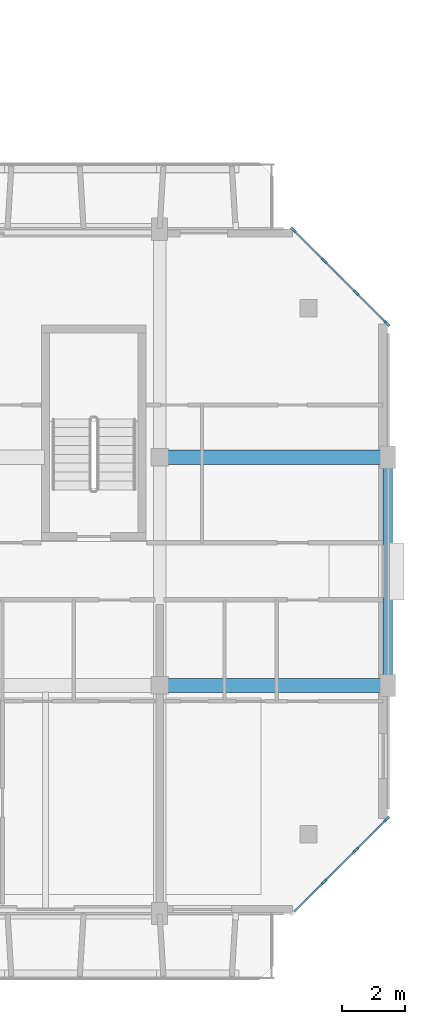
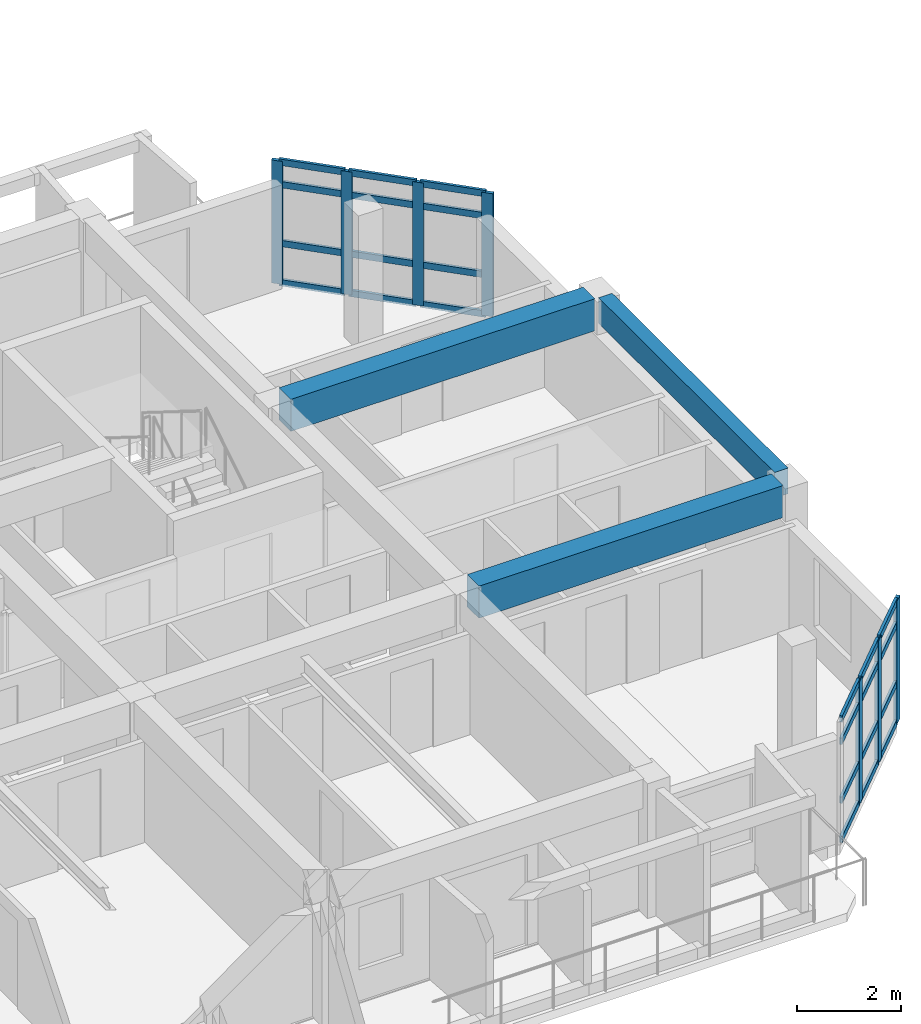
# One storey, part 7 of 43: 31 members, 3 beams, 2 elements without a shape of their own.
"""IFC4 building model written with IfcOpenShell, lengths in metres."""

import ifcopenshell
import ifcopenshell.guid

model = None  # the IFC model being written
_history = None  # IfcOwnerHistory: only IFC2X3 demands one
_inside = {}  # id of a spatial element -> (the spatial element, [elements in it])
_under = {}  # id of a project, library or spatial element -> (it, [spatial elements below it])
_declared = {}  # id of a project -> (the project, [libraries it declares])
_typed = {}  # id of a type object -> (the type object, [elements of that type])
_made_of = {}  # id of a material, layer set ... -> (it, [elements and type objects made of it])


def new_model(schema):
    """Start an empty IFC model of exactly this schema.

    Asked for "IFC4X3", IfcOpenShell would pick the latest addendum, in which some entities
    have other attributes; the version numbers below select the first issue.
    IFC2X3 requires an IfcOwnerHistory on every rooted entity: one is made here for all.
    """
    global model, _history
    if schema == "IFC4X3":
        model = ifcopenshell.file(schema_version=(4, 3, 0, 0))
    else:
        model = ifcopenshell.file(schema=schema)
    _inside.clear()
    _under.clear()
    _declared.clear()
    _typed.clear()
    _made_of.clear()
    _history = None
    if model.schema == "IFC2X3":
        org = make("IfcOrganization", Name="unknown")
        user = make(
            "IfcPersonAndOrganization",
            ThePerson=make("IfcPerson", FamilyName="unknown"),
            TheOrganization=org,
        )
        app = make(
            "IfcApplication",
            ApplicationDeveloper=org,
            Version="unknown",
            ApplicationFullName="unknown",
            ApplicationIdentifier="unknown",
        )
        _history = make(
            "IfcOwnerHistory",
            OwningUser=user,
            OwningApplication=app,
            ChangeAction="ADDED",
            CreationDate=0,
        )
    return model


def make(cls, **values):
    """One entity of the class cls with the attributes given. An attribute that is None is left unset."""
    return model.create_entity(
        cls, **{name: value for name, value in values.items() if value is not None}
    )


def rooted(cls, **values):
    """An entity with a GlobalId (a new one), such as an element, a storey or a relation."""
    return make(cls, GlobalId=ifcopenshell.guid.new(), OwnerHistory=_history, **values)


def si_unit(unit_type, name, prefix=None):
    """IfcSIUnit, for example si_unit("LENGTHUNIT", "METRE", prefix="MILLI")."""
    return make("IfcSIUnit", UnitType=unit_type, Prefix=prefix, Name=name)


def assignment(units):
    """IfcUnitAssignment: the units of a project."""
    return None if units is None else make("IfcUnitAssignment", Units=units)


def point(xyz):
    """IfcCartesianPoint."""
    return None if xyz is None else make("IfcCartesianPoint", Coordinates=xyz)


def direction(xyz):
    """IfcDirection."""
    return None if xyz is None else make("IfcDirection", DirectionRatios=xyz)


def frame(location, z_axis=None, x_axis=None):
    """IfcAxis2Placement3D, a coordinate frame: its origin and axes. An axis left out is left unset."""
    return make(
        "IfcAxis2Placement3D",
        Location=point(location),
        Axis=direction(z_axis),
        RefDirection=direction(x_axis),
    )


def frame_2d(location, x_axis=None):
    """IfcAxis2Placement2D, a coordinate frame in the plane: its origin and x axis."""
    return make(
        "IfcAxis2Placement2D", Location=point(location), RefDirection=direction(x_axis)
    )


def origin():
    """The frame at (0, 0, 0) with its axes left unset."""
    return frame((0.0, 0.0, 0.0))


def origin_2d():
    """The frame at (0, 0) in the plane with its x axis left unset."""
    return frame_2d((0.0, 0.0))


def place(relative_to, where):
    """IfcLocalPlacement: puts the frame where relative to a parent placement (None: the world)."""
    return make(
        "IfcLocalPlacement", PlacementRelTo=relative_to, RelativePlacement=where
    )


def context(
    kind, dimensions, precision=None, world=None, true_north=None, identifier=None
):
    """IfcGeometricRepresentationContext, for example the 3D "Model" context."""
    return make(
        "IfcGeometricRepresentationContext",
        ContextIdentifier=identifier,
        ContextType=kind,
        CoordinateSpaceDimension=dimensions,
        Precision=precision,
        WorldCoordinateSystem=world,
        TrueNorth=true_north,
    )


def subcontext(parent, identifier, kind, view, scale=None):
    """IfcGeometricRepresentationSubContext, for example "Body" below "Model"."""
    return make(
        "IfcGeometricRepresentationSubContext",
        ContextIdentifier=identifier,
        ContextType=kind,
        ParentContext=parent,
        TargetScale=scale,
        TargetView=view,
    )


def project(units=None, contexts=None):
    """IfcProject with its units and contexts."""
    return rooted(
        "IfcProject",
        Name="project",
        RepresentationContexts=contexts,
        UnitsInContext=assignment(units),
    )


def spatial(cls, under=None, at=None, **own):
    """A site, building, storey or space (cls), placed at a placement, below another one or the project."""
    s = rooted(cls, ObjectPlacement=at, **own)
    if under is not None:
        _under.setdefault(under.id(), (under, []))[1].append(s)
    return s


def profile(cls, at=None, kind="AREA", **sizes):
    """A parametric profile (cls). Its sizes go by their IFC names, for example OverallWidth=200.0."""
    return make(cls, ProfileType=kind, Position=at, **sizes)


def rectangle(**sizes):
    """IfcRectangleProfileDef."""
    return profile("IfcRectangleProfileDef", **sizes)


def extrude(swept, where, along, depth):
    """IfcExtrudedAreaSolid: the profile swept, set in the frame where, extruded along a direction by depth."""
    return make(
        "IfcExtrudedAreaSolid",
        SweptArea=swept,
        Position=where,
        ExtrudedDirection=direction(along),
        Depth=depth,
    )


def shape(context_of_items, identifier, shape_type, items):
    """IfcShapeRepresentation: the items that make up one representation, for example the "Body"."""
    return make(
        "IfcShapeRepresentation",
        ContextOfItems=context_of_items,
        RepresentationIdentifier=identifier,
        RepresentationType=shape_type,
        Items=items,
    )


def material(Name=None, Category=None):
    """IfcMaterial."""
    return make("IfcMaterial", Name=Name, Category=Category)


def layer(
    of_material, thickness, ventilated=None, Name=None, Category=None, Priority=None
):
    """IfcMaterialLayer: one layer of a wall or slab, of a material (None: an air gap)."""
    return make(
        "IfcMaterialLayer",
        Material=of_material,
        LayerThickness=thickness,
        IsVentilated=ventilated,
        Name=Name,
        Category=Category,
        Priority=Priority,
    )


def layer_set(layers, Name=None):
    """IfcMaterialLayerSet."""
    return make("IfcMaterialLayerSet", MaterialLayers=layers, LayerSetName=Name)


def material_profile(
    of_material, cross_section, Name=None, Category=None, Priority=None
):
    """IfcMaterialProfile: a cross section and its material."""
    return make(
        "IfcMaterialProfile",
        Name=Name,
        Material=of_material,
        Profile=cross_section,
        Priority=Priority,
        Category=Category,
    )


def profile_set(profiles, Name=None, composite=None):
    """IfcMaterialProfileSet."""
    return make(
        "IfcMaterialProfileSet",
        Name=Name,
        MaterialProfiles=profiles,
        CompositeProfile=composite,
    )


def made_of(thing, what):
    """Note that an element or type object is made of a material, layer set ...; save() writes the relation."""
    if what is not None:
        _made_of.setdefault(what.id(), (what, []))[1].append(thing)
    return thing


def type_object(cls, material=None, **own):
    """A type object (cls), such as IfcWallType, which elements share."""
    return made_of(rooted(cls, **own), material)


def element(
    cls,
    number,
    at=None,
    inside=None,
    cuts=None,
    type_object=None,
    material=None,
    context=None,
    identifier="Body",
    shape_type=None,
    held_by="IfcProductDefinitionShape",
    body=None,
    shapes=None,
    **own,
):
    """One element of the class cls, such as IfcWall. Its Tag is "e" and its number.

    at: its placement. inside: the storey or other place that contains it. cuts: it is an
    opening in that element (IfcRelVoidsElement). A single representation is given by context,
    identifier, shape_type and body (its items); several are given by shapes. held_by: the class
    of the entity that holds the representations. save() writes the other relations.
    """
    e = rooted(cls, Tag="e%d" % number, ObjectPlacement=at, **own)
    if body is not None:
        shapes = [shape(context, identifier, shape_type, body)]
    if shapes is not None:
        e.Representation = make(held_by, Representations=shapes)
    if inside is not None:
        _inside.setdefault(inside.id(), (inside, []))[1].append(e)
    if cuts is not None:
        rooted(
            "IfcRelVoidsElement", RelatingBuildingElement=cuts, RelatedOpeningElement=e
        )
    if type_object is not None:
        _typed.setdefault(type_object.id(), (type_object, []))[1].append(e)
    return made_of(e, material)


def aggregate(whole, parts):
    """IfcRelAggregates: a whole, such as a stair, and the parts it consists of."""
    return rooted("IfcRelAggregates", RelatingObject=whole, RelatedObjects=parts)


def save(model, path):
    """Write the relations noted so far, then the file.

    IfcRelAggregates (storeys below a building ...), IfcRelContainedInSpatialStructure (elements
    in a storey), IfcRelDefinesByType, IfcRelAssociatesMaterial and IfcRelDeclares: one each for
    every whole, place, type object, material and project.
    """
    for whole, parts in _under.values():
        aggregate(whole, parts)
    for where, things in _inside.values():
        rooted(
            "IfcRelContainedInSpatialStructure",
            RelatedElements=things,
            RelatingStructure=where,
        )
    for kind, things in _typed.values():
        rooted("IfcRelDefinesByType", RelatedObjects=things, RelatingType=kind)
    for what, things in _made_of.values():
        rooted("IfcRelAssociatesMaterial", RelatedObjects=things, RelatingMaterial=what)
    for by, libraries in _declared.values():
        rooted("IfcRelDeclares", RelatingContext=by, RelatedDefinitions=libraries)
    model.write(path)


model = new_model("IFC4")

# Units and contexts
model_context = context("Model", 3, precision=1e-05, world=origin(), true_north=direction((0.0, 1.0)))
body_context = subcontext(model_context, "Body", "Model", "MODEL_VIEW")
ifc_project = project(units=[si_unit("LENGTHUNIT", "METRE"), si_unit("AREAUNIT", "SQUARE_METRE"), si_unit("VOLUMEUNIT", "CUBIC_METRE"), si_unit("PLANEANGLEUNIT", "RADIAN"), si_unit("MASSUNIT", "GRAM", prefix="KILO")], contexts=[model_context])

# Site, building, storey
site_placement = place(None, origin())
site = spatial("IfcSite", under=ifc_project, at=site_placement, CompositionType="ELEMENT")
building_placement = place(site_placement, origin())
building = spatial("IfcBuilding", under=site, at=building_placement, Name="Ochrevale Crest", CompositionType="ELEMENT")
storey_placement = place(building_placement, frame((0.0, 0.0, 15.0)))
storey = spatial("IfcBuildingStorey", under=building, at=storey_placement, Name="L04", CompositionType="ELEMENT", Elevation=15.0)

# Beams
ifc_material_1 = material(Name="Concrete C50/60", Category="concrete")
ifc_material_profile_1 = material_profile(ifc_material_1, rectangle(XDim=0.449951171875, YDim=0.75, at=origin_2d()), Name="RC 450x750")
ifc_profile_set_1 = profile_set([ifc_material_profile_1], Name="Concrete C50/60")
beam_type_1 = type_object("IfcBeamType", Name="BM-PG450x750", PredefinedType="USERDEFINED", material=ifc_profile_set_1)
for number, where, z_axis, x_axis, name in (
    (1, (158.64990234375, 21.60009765625, 2.77490234375), (1.0, 0.0, 0.0), (0.0, 1.0, 0.0), "Block C L04 E-W beam Y=21.6"),
    (2, (158.64990234375, 28.800048828125, 2.77490234375), (1.0, 0.0, 0.0), (0.0, 1.0, 0.0), "Block C L04 E-W beam Y=28.8"),
):
    element("IfcBeam", number, at=place(storey_placement, frame(where, z_axis=z_axis, x_axis=x_axis)), inside=storey, type_object=beam_type_1, Name=name, ObjectType="GIRDER", PredefinedType="USERDEFINED", context=body_context, shape_type="SweptSolid", body=[
        extrude(rectangle(XDim=0.449951171875, YDim=0.75, at=origin_2d()), origin(), (0.0, 0.0, 1.0), 6.72509765625),
    ])
ifc_material_2 = material(Name="Precast concrete C40/50", Category="concrete")
ifc_material_profile_2 = material_profile(ifc_material_2, rectangle(XDim=0.300048828125, YDim=0.60009765625, at=origin_2d()), Name="PC 300x600")
ifc_profile_set_2 = profile_set([ifc_material_profile_2], Name="Precast concrete C40/50")
beam_type_2 = type_object("IfcBeamType", Name="BM-SP300x600", PredefinedType="SPANDREL", material=ifc_profile_set_2)
beam_placement = place(storey_placement, frame((165.60009765625, 21.830078125, 2.85009765625), z_axis=(0.0, 1.0, 0.0), x_axis=(-1.0, 0.0, 0.0)))
element("IfcBeam", 3, at=beam_placement, inside=storey, type_object=beam_type_2, Name="Block C L04 N-S beam X=165.6", PredefinedType="SPANDREL", context=body_context, shape_type="SweptSolid", body=[
    extrude(rectangle(XDim=0.300048828125, YDim=0.60009765625, at=origin_2d()), origin(), (0.0, 0.0, 1.0), 6.739990234375),
])

# Curtain wall, members
ifc_material_3 = material(Name="Anodised aluminium 6063-T5", Category="aluminium")
ifc_layer_1 = layer(ifc_material_3, 0.14990234375)
ifc_layer_set_1 = layer_set([ifc_layer_1], Name="Anodised aluminium 6063-T5")
curtain_wall_type_1 = type_object("IfcCurtainWallType", Name="CW-WG-280x285", PredefinedType="NOTDEFINED", material=ifc_layer_set_1)
curtain_wall_1_placement = place(storey_placement, origin())
curtain_wall_1 = element("IfcCurtainWall", 4, at=curtain_wall_1_placement, inside=storey, type_object=curtain_wall_type_1, Name="Block C L04 chamfered corner wintergarden curtain wall 2", PredefinedType="NOTDEFINED")
ifc_material_profile_3 = material_profile(ifc_material_3, rectangle(XDim=0.074951171875, YDim=0.219970703125, at=origin_2d()), Name="ALU 75x220")
ifc_profile_set_3 = profile_set([ifc_material_profile_3], Name="Anodised aluminium 6063-T5")
member_type_1 = type_object("IfcMemberType", Name="CW-MUL-75x220", PredefinedType="MULLION", material=ifc_profile_set_3)
member_1_placement = place(storey_placement, frame((163.60009765625, 15.39990234375, 0.0), z_axis=(0.0, 0.0, 1.0), x_axis=(-0.707106781187, 0.707106781187, 0.0)))
member_1 = element("IfcMember", 5, at=member_1_placement, type_object=member_type_1, Name="CW16 mullion 2", PredefinedType="MULLION", context=body_context, shape_type="SweptSolid", body=[
    extrude(rectangle(XDim=0.074951171875, YDim=0.219970703125, at=origin_2d()), origin(), (0.0, 0.0, 1.0), 2.875),
])
member_2_placement = place(storey_placement, frame((164.60009765625, 16.39990234375, 0.0), z_axis=(0.0, 0.0, 1.0), x_axis=(-0.707106781187, 0.707106781187, 0.0)))
member_2 = element("IfcMember", 6, at=member_2_placement, type_object=member_type_1, Name="CW16 mullion 3", PredefinedType="MULLION", context=body_context, shape_type="SweptSolid", body=[
    extrude(rectangle(XDim=0.074951171875, YDim=0.219970703125, at=origin_2d()), origin(), (0.0, 0.0, 1.0), 2.875),
])
member_3_placement = place(storey_placement, frame((165.573486328125, 17.37353515625, 0.0), z_axis=(0.0, 0.0, 1.0), x_axis=(-0.707106781187, 0.707106781187, 0.0)))
member_3 = element("IfcMember", 7, at=member_3_placement, type_object=member_type_1, Name="CW16 mullion 4", PredefinedType="MULLION", context=body_context, shape_type="SweptSolid", body=[
    extrude(rectangle(XDim=0.074951171875, YDim=0.219970703125, at=origin_2d()), origin(), (0.0, 0.0, 1.0), 2.875),
])

ifc_layer_2 = layer(ifc_material_3, 0.14990234375)
ifc_layer_set_2 = layer_set([ifc_layer_2], Name="Anodised aluminium 6063-T5")
curtain_wall_type_2 = type_object("IfcCurtainWallType", Name="CW-WG-360x285", PredefinedType="NOTDEFINED", material=ifc_layer_set_2)
curtain_wall_2_placement = place(storey_placement, origin())
curtain_wall_2 = element("IfcCurtainWall", 8, at=curtain_wall_2_placement, inside=storey, type_object=curtain_wall_type_2, Name="Block C L04 chamfered corner wintergarden curtain wall 4", PredefinedType="NOTDEFINED")
member_4_placement = place(storey_placement, frame((165.573486328125, 33.026611328125, 0.0), z_axis=(0.0, 0.0, 1.0), x_axis=(-0.707106781187, -0.707106781187, 0.0)))
member_4 = element("IfcMember", 9, at=member_4_placement, type_object=member_type_1, Name="CW18 mullion 1", PredefinedType="MULLION", context=body_context, shape_type="SweptSolid", body=[
    extrude(rectangle(XDim=0.074951171875, YDim=0.219970703125, at=origin_2d()), origin(), (0.0, 0.0, 1.0), 2.875),
])
member_5_placement = place(storey_placement, frame((164.60009765625, 34.0, 0.0), z_axis=(0.0, 0.0, 1.0), x_axis=(-0.707106781187, -0.707106781187, 0.0)))
member_5 = element("IfcMember", 10, at=member_5_placement, type_object=member_type_1, Name="CW18 mullion 2", PredefinedType="MULLION", context=body_context, shape_type="SweptSolid", body=[
    extrude(rectangle(XDim=0.074951171875, YDim=0.219970703125, at=origin_2d()), origin(), (0.0, 0.0, 1.0), 2.875),
])
member_6_placement = place(storey_placement, frame((163.60009765625, 35.0, 0.0), z_axis=(0.0, 0.0, 1.0), x_axis=(-0.707106781187, -0.707106781187, 0.0)))
member_6 = element("IfcMember", 11, at=member_6_placement, type_object=member_type_1, Name="CW18 mullion 3", PredefinedType="MULLION", context=body_context, shape_type="SweptSolid", body=[
    extrude(rectangle(XDim=0.074951171875, YDim=0.219970703125, at=origin_2d()), origin(), (0.0, 0.0, 1.0), 2.875),
])
member_7_placement = place(storey_placement, frame((162.62646484375, 35.973388671875, 0.0), z_axis=(0.0, 0.0, 1.0), x_axis=(-0.707106781187, -0.707106781187, 0.0)))
member_7 = element("IfcMember", 12, at=member_7_placement, type_object=member_type_1, Name="CW18 mullion 4", PredefinedType="MULLION", context=body_context, shape_type="SweptSolid", body=[
    extrude(rectangle(XDim=0.074951171875, YDim=0.219970703125, at=origin_2d()), origin(), (0.0, 0.0, 1.0), 2.875),
])

# Member
ifc_material_profile_4 = material_profile(ifc_material_3, rectangle(XDim=0.06005859375, YDim=0.14990234375, at=origin_2d()), Name="ALU 60x150")
ifc_profile_set_4 = profile_set([ifc_material_profile_4], Name="Anodised aluminium 6063-T5")
member_type_2 = type_object("IfcMemberType", Name="CW-TRN-60x150", PredefinedType="USERDEFINED", material=ifc_profile_set_4)
member_8_placement = place(storey_placement, frame((162.653076171875, 14.453125, 0.030029296875), z_axis=(0.707106781187, 0.707106781187, 0.0), x_axis=(-0.707106781187, 0.707106781187, 0.0)))
member_8 = element("IfcMember", 13, at=member_8_placement, type_object=member_type_2, Name="CW16 transom 1.1", ObjectType="TRANSOM", PredefinedType="USERDEFINED", context=body_context, shape_type="SweptSolid", body=[
    extrude(rectangle(XDim=0.06005859375, YDim=0.14990234375, at=origin_2d()), origin(), (0.0, 0.0, 1.0), 1.3017578125),
])

member_9_placement = place(storey_placement, frame((162.653076171875, 14.453125, 0.949951171875), z_axis=(0.707106781187, 0.707106781187, 0.0), x_axis=(-0.707106781187, 0.707106781187, 0.0)))
member_9 = element("IfcMember", 14, at=member_9_placement, type_object=member_type_2, Name="CW16 transom 1.2", ObjectType="TRANSOM", PredefinedType="USERDEFINED", context=body_context, shape_type="SweptSolid", body=[
    extrude(rectangle(XDim=0.06005859375, YDim=0.14990234375, at=origin_2d()), origin(), (0.0, 0.0, 1.0), 1.3017578125),
])

member_10_placement = place(storey_placement, frame((162.653076171875, 14.453125, 2.324951171875), z_axis=(0.707106781187, 0.707106781187, 0.0), x_axis=(-0.707106781187, 0.707106781187, 0.0)))
member_10 = element("IfcMember", 15, at=member_10_placement, type_object=member_type_2, Name="CW16 transom 1.3", ObjectType="TRANSOM", PredefinedType="USERDEFINED", context=body_context, shape_type="SweptSolid", body=[
    extrude(rectangle(XDim=0.06005859375, YDim=0.14990234375, at=origin_2d()), origin(), (0.0, 0.0, 1.0), 1.3017578125),
])

member_11_placement = place(storey_placement, frame((162.653076171875, 14.453125, 2.844970703125), z_axis=(0.707106781187, 0.707106781187, 0.0), x_axis=(-0.707106781187, 0.707106781187, 0.0)))
member_11 = element("IfcMember", 16, at=member_11_placement, type_object=member_type_2, Name="CW16 transom 1.4", ObjectType="TRANSOM", PredefinedType="USERDEFINED", context=body_context, shape_type="SweptSolid", body=[
    extrude(rectangle(XDim=0.06005859375, YDim=0.14990234375, at=origin_2d()), origin(), (0.0, 0.0, 1.0), 1.3017578125),
])

member_12_placement = place(storey_placement, frame((163.62646484375, 15.426513671875, 0.030029296875), z_axis=(0.707106781187, 0.707106781187, 0.0), x_axis=(-0.707106781187, 0.707106781187, 0.0)))
member_12 = element("IfcMember", 17, at=member_12_placement, type_object=member_type_2, Name="CW16 transom 2.1", ObjectType="TRANSOM", PredefinedType="USERDEFINED", context=body_context, shape_type="SweptSolid", body=[
    extrude(rectangle(XDim=0.06005859375, YDim=0.14990234375, at=origin_2d()), origin(), (0.0, 0.0, 1.0), 1.33935546875),
])

member_13_placement = place(storey_placement, frame((163.62646484375, 15.426513671875, 0.949951171875), z_axis=(0.707106781187, 0.707106781187, 0.0), x_axis=(-0.707106781187, 0.707106781187, 0.0)))
member_13 = element("IfcMember", 18, at=member_13_placement, type_object=member_type_2, Name="CW16 transom 2.2", ObjectType="TRANSOM", PredefinedType="USERDEFINED", context=body_context, shape_type="SweptSolid", body=[
    extrude(rectangle(XDim=0.06005859375, YDim=0.14990234375, at=origin_2d()), origin(), (0.0, 0.0, 1.0), 1.33935546875),
])

member_14_placement = place(storey_placement, frame((163.62646484375, 15.426513671875, 2.324951171875), z_axis=(0.707106781187, 0.707106781187, 0.0), x_axis=(-0.707106781187, 0.707106781187, 0.0)))
member_14 = element("IfcMember", 19, at=member_14_placement, type_object=member_type_2, Name="CW16 transom 2.3", ObjectType="TRANSOM", PredefinedType="USERDEFINED", context=body_context, shape_type="SweptSolid", body=[
    extrude(rectangle(XDim=0.06005859375, YDim=0.14990234375, at=origin_2d()), origin(), (0.0, 0.0, 1.0), 1.33935546875),
])

member_15_placement = place(storey_placement, frame((163.62646484375, 15.426513671875, 2.844970703125), z_axis=(0.707106781187, 0.707106781187, 0.0), x_axis=(-0.707106781187, 0.707106781187, 0.0)))
member_15 = element("IfcMember", 20, at=member_15_placement, type_object=member_type_2, Name="CW16 transom 2.4", ObjectType="TRANSOM", PredefinedType="USERDEFINED", context=body_context, shape_type="SweptSolid", body=[
    extrude(rectangle(XDim=0.06005859375, YDim=0.14990234375, at=origin_2d()), origin(), (0.0, 0.0, 1.0), 1.33935546875),
])

member_16_placement = place(storey_placement, frame((164.62646484375, 16.426513671875, 0.030029296875), z_axis=(0.707106781187, 0.707106781187, 0.0), x_axis=(-0.707106781187, 0.707106781187, 0.0)))
member_16 = element("IfcMember", 21, at=member_16_placement, type_object=member_type_2, Name="CW16 transom 3.1", ObjectType="TRANSOM", PredefinedType="USERDEFINED", context=body_context, shape_type="SweptSolid", body=[
    extrude(rectangle(XDim=0.06005859375, YDim=0.14990234375, at=origin_2d()), origin(), (0.0, 0.0, 1.0), 1.3017578125),
])

member_17_placement = place(storey_placement, frame((164.62646484375, 16.426513671875, 0.949951171875), z_axis=(0.707106781187, 0.707106781187, 0.0), x_axis=(-0.707106781187, 0.707106781187, 0.0)))
member_17 = element("IfcMember", 22, at=member_17_placement, type_object=member_type_2, Name="CW16 transom 3.2", ObjectType="TRANSOM", PredefinedType="USERDEFINED", context=body_context, shape_type="SweptSolid", body=[
    extrude(rectangle(XDim=0.06005859375, YDim=0.14990234375, at=origin_2d()), origin(), (0.0, 0.0, 1.0), 1.3017578125),
])

member_18_placement = place(storey_placement, frame((164.62646484375, 16.426513671875, 2.324951171875), z_axis=(0.707106781187, 0.707106781187, 0.0), x_axis=(-0.707106781187, 0.707106781187, 0.0)))
member_18 = element("IfcMember", 23, at=member_18_placement, type_object=member_type_2, Name="CW16 transom 3.3", ObjectType="TRANSOM", PredefinedType="USERDEFINED", context=body_context, shape_type="SweptSolid", body=[
    extrude(rectangle(XDim=0.06005859375, YDim=0.14990234375, at=origin_2d()), origin(), (0.0, 0.0, 1.0), 1.3017578125),
])

member_19_placement = place(storey_placement, frame((164.62646484375, 16.426513671875, 2.844970703125), z_axis=(0.707106781187, 0.707106781187, 0.0), x_axis=(-0.707106781187, 0.707106781187, 0.0)))
member_19 = element("IfcMember", 24, at=member_19_placement, type_object=member_type_2, Name="CW16 transom 3.4", ObjectType="TRANSOM", PredefinedType="USERDEFINED", context=body_context, shape_type="SweptSolid", body=[
    extrude(rectangle(XDim=0.06005859375, YDim=0.14990234375, at=origin_2d()), origin(), (0.0, 0.0, 1.0), 1.3017578125),
])

aggregate(curtain_wall_1, [member_1, member_2, member_3, member_8, member_9, member_10, member_11, member_12, member_13, member_14, member_15, member_16, member_17, member_18, member_19])

member_20_placement = place(storey_placement, frame((165.546875, 33.052978515625, 0.030029296875), z_axis=(-0.707106781187, 0.707106781187, 0.0), x_axis=(-0.707106781187, -0.707106781187, 0.0)))
member_20 = element("IfcMember", 25, at=member_20_placement, type_object=member_type_2, Name="CW18 transom 1.1", ObjectType="TRANSOM", PredefinedType="USERDEFINED", context=body_context, shape_type="SweptSolid", body=[
    extrude(rectangle(XDim=0.06005859375, YDim=0.14990234375, at=origin_2d()), origin(), (0.0, 0.0, 1.0), 1.3017578125),
])

member_21_placement = place(storey_placement, frame((165.546875, 33.052978515625, 0.949951171875), z_axis=(-0.707106781187, 0.707106781187, 0.0), x_axis=(-0.707106781187, -0.707106781187, 0.0)))
member_21 = element("IfcMember", 26, at=member_21_placement, type_object=member_type_2, Name="CW18 transom 1.2", ObjectType="TRANSOM", PredefinedType="USERDEFINED", context=body_context, shape_type="SweptSolid", body=[
    extrude(rectangle(XDim=0.06005859375, YDim=0.14990234375, at=origin_2d()), origin(), (0.0, 0.0, 1.0), 1.3017578125),
])

member_22_placement = place(storey_placement, frame((165.546875, 33.052978515625, 2.324951171875), z_axis=(-0.707106781187, 0.707106781187, 0.0), x_axis=(-0.707106781187, -0.707106781187, 0.0)))
member_22 = element("IfcMember", 27, at=member_22_placement, type_object=member_type_2, Name="CW18 transom 1.3", ObjectType="TRANSOM", PredefinedType="USERDEFINED", context=body_context, shape_type="SweptSolid", body=[
    extrude(rectangle(XDim=0.06005859375, YDim=0.14990234375, at=origin_2d()), origin(), (0.0, 0.0, 1.0), 1.3017578125),
])

member_23_placement = place(storey_placement, frame((165.546875, 33.052978515625, 2.844970703125), z_axis=(-0.707106781187, 0.707106781187, 0.0), x_axis=(-0.707106781187, -0.707106781187, 0.0)))
member_23 = element("IfcMember", 28, at=member_23_placement, type_object=member_type_2, Name="CW18 transom 1.4", ObjectType="TRANSOM", PredefinedType="USERDEFINED", context=body_context, shape_type="SweptSolid", body=[
    extrude(rectangle(XDim=0.06005859375, YDim=0.14990234375, at=origin_2d()), origin(), (0.0, 0.0, 1.0), 1.3017578125),
])

member_24_placement = place(storey_placement, frame((164.573486328125, 34.026611328125, 0.030029296875), z_axis=(-0.707197932559, 0.707015618062, 0.0), x_axis=(-0.707015618062, -0.707197932559, 0.0)))
member_24 = element("IfcMember", 29, at=member_24_placement, type_object=member_type_2, Name="CW18 transom 2.1", ObjectType="TRANSOM", PredefinedType="USERDEFINED", context=body_context, shape_type="SweptSolid", body=[
    extrude(rectangle(XDim=0.06005859375, YDim=0.14990234375, at=origin_2d()), origin(), (0.0, 0.0, 1.0), 1.339111328125),
])

member_25_placement = place(storey_placement, frame((164.573486328125, 34.026611328125, 0.949951171875), z_axis=(-0.707197932559, 0.707015618062, 0.0), x_axis=(-0.707015618062, -0.707197932559, 0.0)))
member_25 = element("IfcMember", 30, at=member_25_placement, type_object=member_type_2, Name="CW18 transom 2.2", ObjectType="TRANSOM", PredefinedType="USERDEFINED", context=body_context, shape_type="SweptSolid", body=[
    extrude(rectangle(XDim=0.06005859375, YDim=0.14990234375, at=origin_2d()), origin(), (0.0, 0.0, 1.0), 1.339111328125),
])

member_26_placement = place(storey_placement, frame((164.573486328125, 34.026611328125, 2.324951171875), z_axis=(-0.707197932559, 0.707015618062, 0.0), x_axis=(-0.707015618062, -0.707197932559, 0.0)))
member_26 = element("IfcMember", 31, at=member_26_placement, type_object=member_type_2, Name="CW18 transom 2.3", ObjectType="TRANSOM", PredefinedType="USERDEFINED", context=body_context, shape_type="SweptSolid", body=[
    extrude(rectangle(XDim=0.06005859375, YDim=0.14990234375, at=origin_2d()), origin(), (0.0, 0.0, 1.0), 1.339111328125),
])

member_27_placement = place(storey_placement, frame((164.573486328125, 34.026611328125, 2.844970703125), z_axis=(-0.707197932559, 0.707015618062, 0.0), x_axis=(-0.707015618062, -0.707197932559, 0.0)))
member_27 = element("IfcMember", 32, at=member_27_placement, type_object=member_type_2, Name="CW18 transom 2.4", ObjectType="TRANSOM", PredefinedType="USERDEFINED", context=body_context, shape_type="SweptSolid", body=[
    extrude(rectangle(XDim=0.06005859375, YDim=0.14990234375, at=origin_2d()), origin(), (0.0, 0.0, 1.0), 1.339111328125),
])

member_28_placement = place(storey_placement, frame((163.573486328125, 35.026611328125, 0.030029296875), z_axis=(-0.707106781187, 0.707106781187, 0.0), x_axis=(-0.707106781187, -0.707106781187, 0.0)))
member_28 = element("IfcMember", 33, at=member_28_placement, type_object=member_type_2, Name="CW18 transom 3.1", ObjectType="TRANSOM", PredefinedType="USERDEFINED", context=body_context, shape_type="SweptSolid", body=[
    extrude(rectangle(XDim=0.06005859375, YDim=0.14990234375, at=origin_2d()), origin(), (0.0, 0.0, 1.0), 1.3017578125),
])

member_29_placement = place(storey_placement, frame((163.573486328125, 35.026611328125, 0.949951171875), z_axis=(-0.707106781187, 0.707106781187, 0.0), x_axis=(-0.707106781187, -0.707106781187, 0.0)))
member_29 = element("IfcMember", 34, at=member_29_placement, type_object=member_type_2, Name="CW18 transom 3.2", ObjectType="TRANSOM", PredefinedType="USERDEFINED", context=body_context, shape_type="SweptSolid", body=[
    extrude(rectangle(XDim=0.06005859375, YDim=0.14990234375, at=origin_2d()), origin(), (0.0, 0.0, 1.0), 1.3017578125),
])

member_30_placement = place(storey_placement, frame((163.573486328125, 35.026611328125, 2.324951171875), z_axis=(-0.707106781187, 0.707106781187, 0.0), x_axis=(-0.707106781187, -0.707106781187, 0.0)))
member_30 = element("IfcMember", 35, at=member_30_placement, type_object=member_type_2, Name="CW18 transom 3.3", ObjectType="TRANSOM", PredefinedType="USERDEFINED", context=body_context, shape_type="SweptSolid", body=[
    extrude(rectangle(XDim=0.06005859375, YDim=0.14990234375, at=origin_2d()), origin(), (0.0, 0.0, 1.0), 1.3017578125),
])

member_31_placement = place(storey_placement, frame((163.573486328125, 35.026611328125, 2.844970703125), z_axis=(-0.707106781187, 0.707106781187, 0.0), x_axis=(-0.707106781187, -0.707106781187, 0.0)))
member_31 = element("IfcMember", 36, at=member_31_placement, type_object=member_type_2, Name="CW18 transom 3.4", ObjectType="TRANSOM", PredefinedType="USERDEFINED", context=body_context, shape_type="SweptSolid", body=[
    extrude(rectangle(XDim=0.06005859375, YDim=0.14990234375, at=origin_2d()), origin(), (0.0, 0.0, 1.0), 1.3017578125),
])

aggregate(curtain_wall_2, [member_4, member_5, member_6, member_7, member_20, member_21, member_22, member_23, member_24, member_25, member_26, member_27, member_28, member_29, member_30, member_31])

save(model, "model.ifc")
